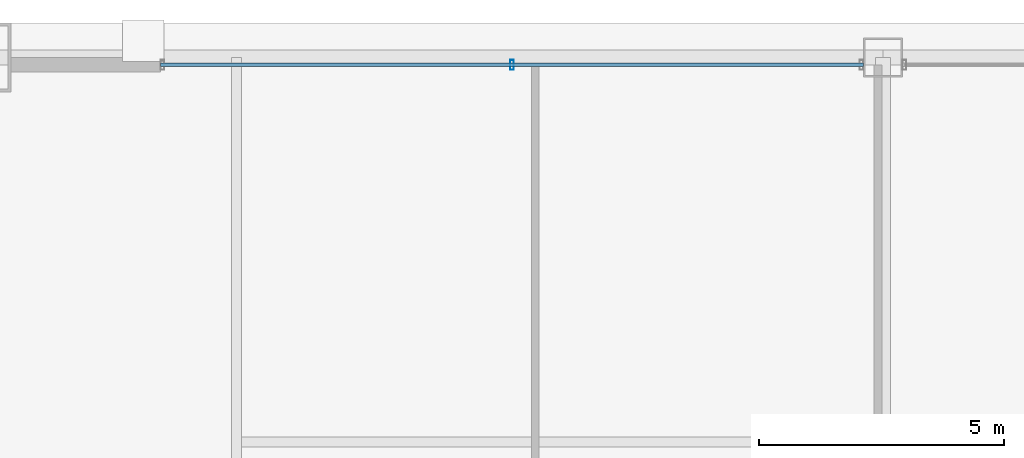
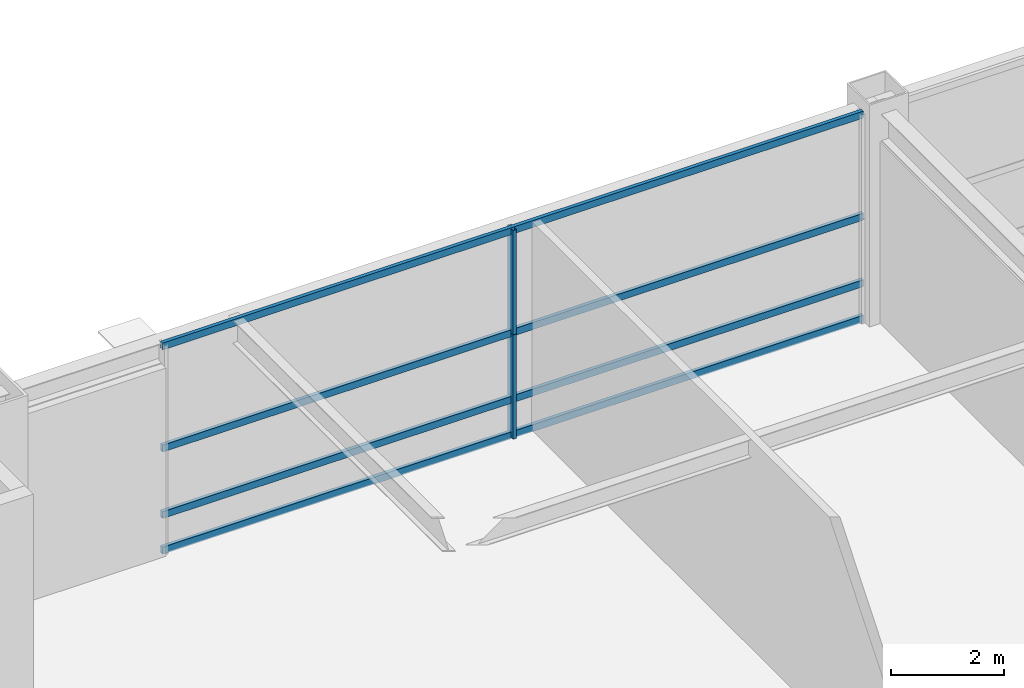
# One storey, part 25 of 34: 6 members, 1 element without a shape of its own.
"""IFC4 building model written with IfcOpenShell, lengths in metres."""

from ifc_helpers import new_model, si_unit, direction, frame, origin, origin_2d, place, context, subcontext, project, spatial, hollow_rectangle, extrude, source, transform, mapped, material, layer, layer_set, material_profile, profile_set, type_object, element, aggregate, save


model = new_model("IFC4")

# Units and contexts
model_context = context("Model", 3, precision=1e-05, world=origin(), true_north=direction((0.0, 1.0)))
body_context = subcontext(model_context, "Body", "Model", "MODEL_VIEW")
ifc_project = project(units=[si_unit("LENGTHUNIT", "METRE"), si_unit("AREAUNIT", "SQUARE_METRE"), si_unit("VOLUMEUNIT", "CUBIC_METRE"), si_unit("PLANEANGLEUNIT", "RADIAN"), si_unit("MASSUNIT", "GRAM", prefix="KILO"), si_unit("THERMODYNAMICTEMPERATUREUNIT", "KELVIN"), si_unit("POWERUNIT", "WATT")], contexts=[model_context])

# Site, building, storey
site_placement = place(None, origin())
site = spatial("IfcSite", under=ifc_project, at=site_placement, CompositionType="ELEMENT")
building_placement = place(site_placement, origin())
building = spatial("IfcBuilding", under=site, at=building_placement, Name="Yuzanri Waterfront Tower", CompositionType="ELEMENT")
storey_placement = place(building_placement, frame((0.0, 0.0, 171.60009765625)))
storey = spatial("IfcBuildingStorey", under=building, at=storey_placement, Name="L45", CompositionType="ELEMENT", Elevation=171.60009765625)

# Curtain wall, members
ifc_material_1 = material(Name="Anodized Architectural Bronze", Category="metal")
ifc_layer = layer(ifc_material_1, 0.159912109375)
ifc_layer_set = layer_set([ifc_layer], Name="Anodized Architectural Bronze")
curtain_wall_type = type_object("IfcCurtainWallType", Name="Anodized Bronze Sky-Lobby Triple-Glazed Feature Curtain Wall 7500", PredefinedType="NOTDEFINED", material=ifc_layer_set)
curtain_wall_placement = place(storey_placement, origin())
curtain_wall = element("IfcCurtainWall", 1, at=curtain_wall_placement, inside=storey, type_object=curtain_wall_type, Name="L45 Curtain Wall CW-L45-NL", PredefinedType="NOTDEFINED")
ifc_material_2 = material(Name="Anodized Architectural Bronze", Category="metal")
ifc_material_profile_1 = material_profile(ifc_material_2, hollow_rectangle(XDim=0.074951171875, YDim=0.199951171875, WallThickness=0.00390625, at=origin_2d()), Name="CWM 75x200")
ifc_profile_set_1 = profile_set([ifc_material_profile_1], Name="Anodized Architectural Bronze")
member_type_1 = type_object("IfcMemberType", Name="Anodized Bronze Primary Curtain-Wall Mullion 75x200", PredefinedType="MULLION", material=ifc_profile_set_1)
shared_shape_1 = source(origin(), body_context, "Body", "SweptSolid", [
    extrude(hollow_rectangle(XDim=0.074951171875, YDim=0.199951171875, WallThickness=0.00390625, at=origin_2d()), origin(), (0.0, 0.0, 1.0), 2.258056640625),
])
member_1_placement = place(storey_placement, frame((29.425048828125, 47.75, 2.261962890625), z_axis=(0.0, 0.0, 1.0), x_axis=(1.0, 0.0, 0.0)))
member_1 = element("IfcMember", 2, at=member_1_placement, type_object=member_type_1, Name="CW-L45-NL Upper Mullion 01", PredefinedType="MULLION", context=body_context, shape_type="MappedRepresentation", body=[
    mapped(shared_shape_1, transform((0.0, 0.0, 0.0), scale=1.0)),
])
shared_shape_2 = source(origin(), body_context, "Body", "SweptSolid", [
    extrude(hollow_rectangle(XDim=0.074951171875, YDim=0.199951171875, WallThickness=0.00390625, at=origin_2d()), origin(), (0.0, 0.0, 1.0), 2.2578125),
])
member_2_placement = place(storey_placement, frame((29.425048828125, 47.75, 0.0), z_axis=(0.0, 0.0, 1.0), x_axis=(1.0, 0.0, 0.0)))
member_2 = element("IfcMember", 3, at=member_2_placement, type_object=member_type_1, Name="CW-L45-NL Lower Mullion 01", PredefinedType="MULLION", context=body_context, shape_type="MappedRepresentation", body=[
    mapped(shared_shape_2, transform((0.0, 0.0, 0.0), scale=1.0)),
])
ifc_material_3 = material(Name="Anodized Architectural Bronze", Category="metal")
ifc_material_profile_2 = material_profile(ifc_material_3, hollow_rectangle(XDim=0.074951171875, YDim=0.14990234375, WallThickness=0.00390625, at=origin_2d()), Name="CWT 75x150")
ifc_profile_set_2 = profile_set([ifc_material_profile_2], Name="Anodized Architectural Bronze")
member_type_2 = type_object("IfcMemberType", Name="Anodized Bronze Primary Curtain-Wall Transom 75x150", PredefinedType="USERDEFINED", material=ifc_profile_set_2)
shared_shape_3 = source(origin(), body_context, "Body", "SweptSolid", [
    extrude(hollow_rectangle(XDim=0.074951171875, YDim=0.14990234375, WallThickness=0.00390625, at=origin_2d()), origin(), (0.0, 0.0, 1.0), 14.35009765625),
])
member_3_placement = place(storey_placement, frame((22.25, 47.75, 0.0498046875), z_axis=(1.0, 0.0, 0.0), x_axis=(0.0, 1.0, 0.0)))
member_3 = element("IfcMember", 4, at=member_3_placement, type_object=member_type_2, Name="CW-L45-NL Transom 1", ObjectType="TRANSOM", PredefinedType="USERDEFINED", context=body_context, shape_type="MappedRepresentation", body=[
    mapped(shared_shape_3, transform((0.0, 0.0, 0.0), scale=1.0)),
])
member_4_placement = place(storey_placement, frame((22.25, 47.75, 0.81982421875), z_axis=(1.0, 0.0, 0.0), x_axis=(0.0, 1.0, 0.0)))
member_4 = element("IfcMember", 5, at=member_4_placement, type_object=member_type_2, Name="CW-L45-NL Transom 2", ObjectType="TRANSOM", PredefinedType="USERDEFINED", context=body_context, shape_type="MappedRepresentation", body=[
    mapped(shared_shape_3, transform((0.0, 0.0, 0.0), scale=1.0)),
])
member_5_placement = place(storey_placement, frame((22.25, 47.75, 2.260009765625), z_axis=(1.0, 0.0, 0.0), x_axis=(0.0, 1.0, 0.0)))
member_5 = element("IfcMember", 6, at=member_5_placement, type_object=member_type_2, Name="CW-L45-NL Transom 3", ObjectType="TRANSOM", PredefinedType="USERDEFINED", context=body_context, shape_type="MappedRepresentation", body=[
    mapped(shared_shape_3, transform((0.0, 0.0, 0.0), scale=1.0)),
])
member_6_placement = place(storey_placement, frame((22.25, 47.75, 4.469970703125), z_axis=(1.0, 0.0, 0.0), x_axis=(0.0, 1.0, 0.0)))
member_6 = element("IfcMember", 7, at=member_6_placement, type_object=member_type_2, Name="CW-L45-NL Transom 4", ObjectType="TRANSOM", PredefinedType="USERDEFINED", context=body_context, shape_type="MappedRepresentation", body=[
    mapped(shared_shape_3, transform((0.0, 0.0, 0.0), scale=1.0)),
])
aggregate(curtain_wall, [member_2, member_1, member_3, member_4, member_5, member_6])

save(model, "model.ifc")
